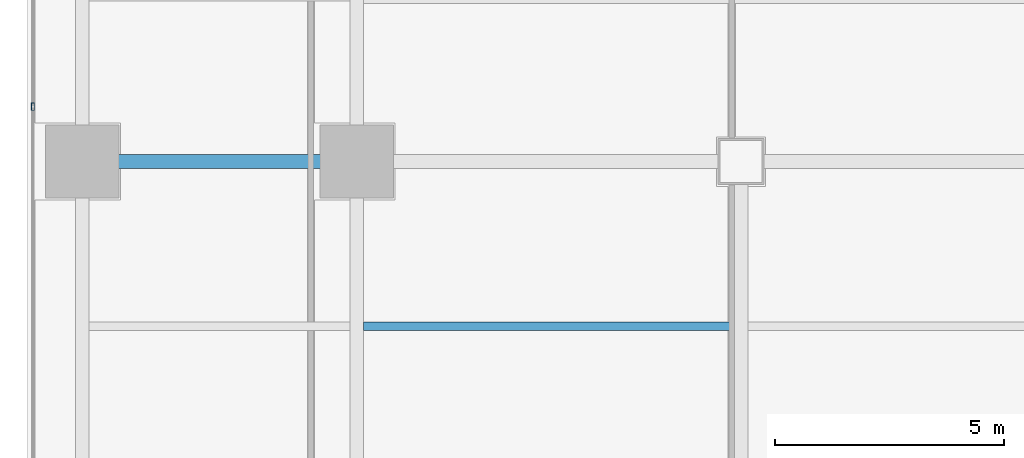
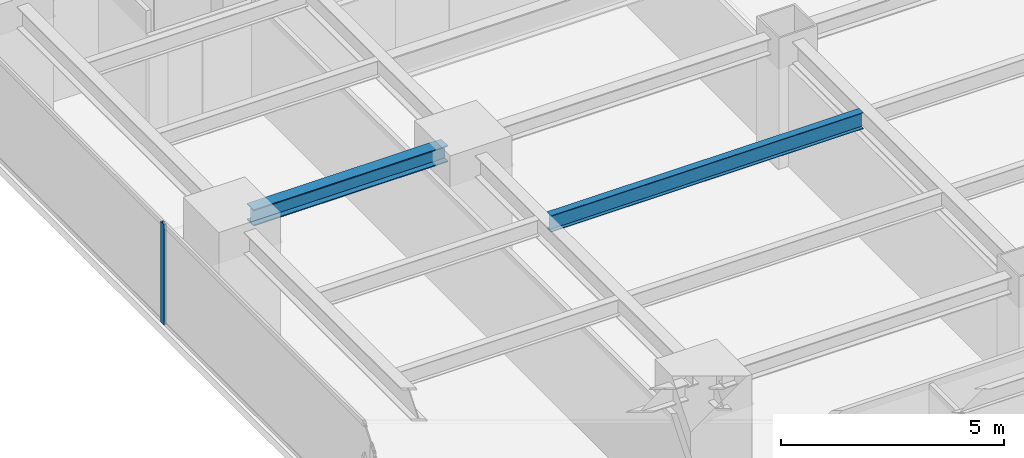
# One storey, part 7 of 28: 2 beams, 1 member, 1 element without a shape of its own.
"""IFC4 building model written with IfcOpenShell, lengths in metres."""

from ifc_helpers import new_model, si_unit, direction, frame, origin, origin_2d, place, context, subcontext, project, spatial, hollow_rectangle, i_section, extrude, source, transform, mapped, material, layer, layer_set, material_profile, profile_set, type_object, element, aggregate, save


model = new_model("IFC4")

# Units and contexts
model_context = context("Model", 3, precision=1e-05, world=origin(), true_north=direction((0.0, 1.0)))
body_context = subcontext(model_context, "Body", "Model", "MODEL_VIEW")
ifc_project = project(units=[si_unit("LENGTHUNIT", "METRE"), si_unit("AREAUNIT", "SQUARE_METRE"), si_unit("VOLUMEUNIT", "CUBIC_METRE"), si_unit("PLANEANGLEUNIT", "RADIAN"), si_unit("MASSUNIT", "GRAM", prefix="KILO")], contexts=[model_context])

# Site, building, storey
site_placement = place(None, origin())
site = spatial("IfcSite", under=ifc_project, at=site_placement, CompositionType="ELEMENT")
building_placement = place(site_placement, origin())
building = spatial("IfcBuilding", under=site, at=building_placement, Name="Sumidabori Civic Tower", CompositionType="ELEMENT")
storey_placement = place(building_placement, frame((0.0, 0.0, 182.0)))
storey = spatial("IfcBuildingStorey", under=building, at=storey_placement, Name="L47", CompositionType="ELEMENT", Elevation=182.0)

# Beams
ifc_material_1 = material(Name="Steel SN490", Category="steel")
ifc_material_profile_1 = material_profile(ifc_material_1, i_section(OverallWidth=0.18994140625, OverallDepth=0.449951171875, WebThickness=0.009521484375, FlangeThickness=0.0146484375, at=origin_2d()), Name="IPE 450")
ifc_profile_set_1 = profile_set([ifc_material_profile_1], Name="Steel SN490")
beam_type_1 = type_object("IfcBeamType", Name="BM-JST-450", PredefinedType="JOIST", material=ifc_profile_set_1)
shared_shape_1 = source(origin(), body_context, "Body", "SweptSolid", [
    extrude(i_section(OverallWidth=0.18994140625, OverallDepth=0.449951171875, WebThickness=0.009521484375, FlangeThickness=0.0146484375, at=origin_2d()), origin(), (0.0, 0.0, 1.0), 8.099853515625),
])
beam_1_placement = place(storey_placement, frame((-16.64990234375, -3.60009765625, 3.155029296875), z_axis=(1.0, 0.0, 0.0), x_axis=(0.0, 1.0, 0.0)))
element("IfcBeam", 1, at=beam_1_placement, inside=storey, type_object=beam_type_1, Name="South Bay Floor Joist L47 JSTS-57", PredefinedType="JOIST", context=body_context, shape_type="MappedRepresentation", body=[
    mapped(shared_shape_1, transform((0.0, 0.0, 0.0), x_axis=(1.0, 0.0, 0.0), y_axis=(0.0, 1.0, 0.0), z_axis=(0.0, 0.0, 1.0), scale=1.0)),
])
ifc_material_profile_2 = material_profile(ifc_material_1, i_section(OverallWidth=0.300048828125, OverallDepth=0.449951171875, WebThickness=0.013916015625, FlangeThickness=0.02587890625, at=origin_2d()), Name="HE 450 B")
ifc_profile_set_2 = profile_set([ifc_material_profile_2], Name="Steel SN490")
beam_type_2 = type_object("IfcBeamType", Name="BM-GIRD-450", PredefinedType="BEAM", material=ifc_profile_set_2)
shared_shape_2 = source(origin(), body_context, "Body", "SweptSolid", [
    extrude(i_section(OverallWidth=0.300048828125, OverallDepth=0.449951171875, WebThickness=0.013916015625, FlangeThickness=0.02587890625, at=origin_2d()), origin(), (0.0, 0.0, 1.0), 5.0400390625),
])
beam_2_placement = place(storey_placement, frame((-22.320068359375, 0.0, 3.155029296875), z_axis=(1.0, 0.0, 0.0), x_axis=(0.0, 1.0, 0.0)))
element("IfcBeam", 2, at=beam_2_placement, inside=storey, type_object=beam_type_2, Name="Primary Girder L47 GX-11", PredefinedType="BEAM", context=body_context, shape_type="MappedRepresentation", body=[
    mapped(shared_shape_2, transform((0.0, 0.0, 0.0), x_axis=(1.0, 0.0, 0.0), y_axis=(0.0, 1.0, 0.0), z_axis=(0.0, 0.0, 1.0), scale=1.0)),
])

# Curtain wall, member
ifc_material_2 = material(Name="Anodised Bronze Aluminium AW-6063-T6", Category="aluminium")
ifc_layer = layer(ifc_material_2, 0.179931640625, Name="Anodised Bronze Aluminium AW-6063-T6")
ifc_layer_set = layer_set([ifc_layer], Name="Anodised Bronze Aluminium AW-6063-T6")
curtain_wall_type = type_object("IfcCurtainWallType", Name="CW-SYS-3", PredefinedType="NOTDEFINED", material=ifc_layer_set)
curtain_wall_placement = place(storey_placement, origin())
curtain_wall = element("IfcCurtainWall", 3, at=curtain_wall_placement, inside=storey, type_object=curtain_wall_type, Name="Curtain Wall CW:L47:R10", PredefinedType="NOTDEFINED")
ifc_material_profile_3 = material_profile(ifc_material_2, hollow_rectangle(XDim=0.06494140625, YDim=0.159912109375, WallThickness=0.0048828125, at=origin_2d()), Name="ALU MULLION 160x65")
ifc_profile_set_3 = profile_set([ifc_material_profile_3], Name="Anodised Bronze Aluminium AW-6063-T6")
member_type = type_object("IfcMemberType", Name="CW-MUL-160", PredefinedType="MULLION", material=ifc_profile_set_3)
shared_shape_3 = source(origin(), body_context, "Body", "SweptSolid", [
    extrude(hollow_rectangle(XDim=0.06494140625, YDim=0.159912109375, WallThickness=0.0048828125, at=origin_2d()), origin(), (0.0, 0.0, 1.0), 2.760009765625),
])
member_placement = place(storey_placement, frame((-23.8798828125, 1.199951171875, 0.0), z_axis=(0.0, 0.0, 1.0), x_axis=(1.0, 0.0, 0.0)))
member = element("IfcMember", 4, at=member_placement, type_object=member_type, Name="CW-3 mullion 3", PredefinedType="MULLION", context=body_context, shape_type="MappedRepresentation", body=[
    mapped(shared_shape_3, transform((0.0, 0.0, 0.0), x_axis=(1.0, 0.0, 0.0), y_axis=(0.0, 1.0, 0.0), z_axis=(0.0, 0.0, 1.0), scale=1.0)),
])
aggregate(curtain_wall, [member])

save(model, "model.ifc")
